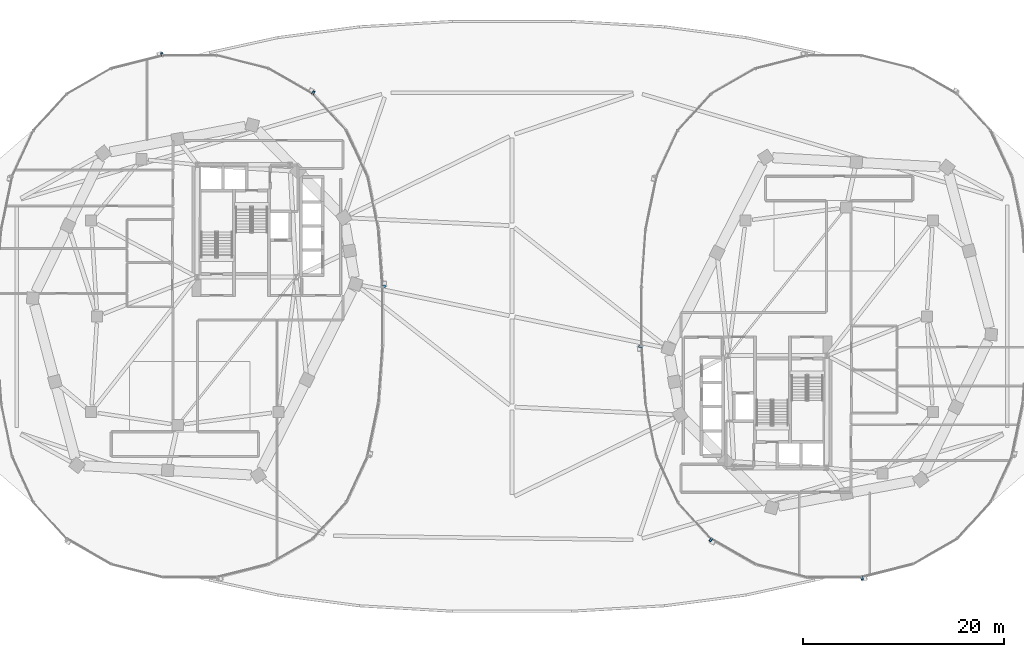
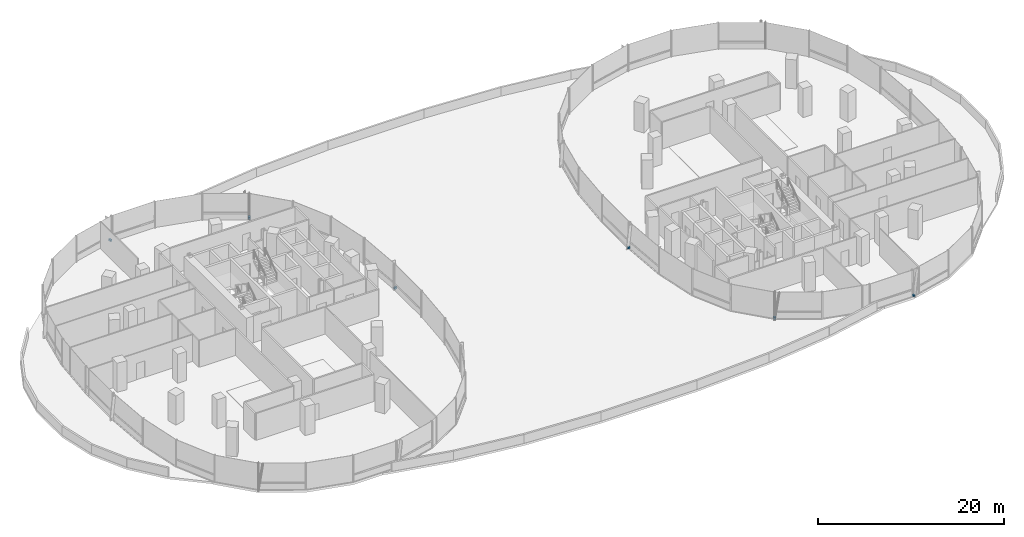
# One storey, part 23 of 28: 6 discrete accessories.
"""IFC4 building model written with IfcOpenShell, lengths in metres."""

from ifc_helpers import new_model, si_unit, direction, frame, origin, origin_2d, place, context, subcontext, project, spatial, rectangle, extrude, material, type_object, element, save


model = new_model("IFC4")

# Units and contexts
model_context = context("Model", 3, precision=1e-05, world=origin(), true_north=direction((0.0, 1.0)))
body_context = subcontext(model_context, "Body", "Model", "MODEL_VIEW")
ifc_project = project(units=[si_unit("LENGTHUNIT", "METRE"), si_unit("AREAUNIT", "SQUARE_METRE"), si_unit("VOLUMEUNIT", "CUBIC_METRE"), si_unit("PLANEANGLEUNIT", "RADIAN"), si_unit("MASSUNIT", "GRAM", prefix="KILO"), si_unit("THERMODYNAMICTEMPERATUREUNIT", "KELVIN"), si_unit("POWERUNIT", "WATT")], contexts=[model_context])

# Site, building, storey
site_placement = place(None, origin())
site = spatial("IfcSite", under=ifc_project, at=site_placement, CompositionType="ELEMENT")
building_placement = place(site_placement, origin())
building = spatial("IfcBuilding", under=site, at=building_placement, Name="Cundina Bronze Exchange", CompositionType="ELEMENT")
storey_placement = place(building_placement, frame((0.0, 0.0, 24.0)))
storey = spatial("IfcBuildingStorey", under=building, at=storey_placement, Name="L05", CompositionType="ELEMENT", Elevation=24.0)

# Discrete accessories
ifc_material = material(Name="Anodised Bronze Aluminium 6063-T6", Category="aluminium")
discrete_accessory_type = type_object("IfcDiscreteAccessoryType", Name="ACC-BRK-FIN", PredefinedType="BRACKET", material=ifc_material)
for number, where, z_axis, x_axis, name in (
    (1, (-12.735595703125, 2.986083984375, 0.10009765625), (0.0, 0.0, 1.0), (-0.070278787473, 0.997527389113, 0.0), "L05 Fin Support Bracket 1"),
    (2, (-19.740478515625, 22.21875, 0.10009765625), (0.0, 0.0, 1.0), (-0.867105478933, 0.498124571171, 0.0), "L05 Fin Support Bracket 5"),
    (3, (-34.76025390625, 26.03173828125, 0.10009765625), (0.0, 0.0, 1.0), (-0.969488149345, -0.245138182011, 0.0), "L05 Fin Support Bracket 1"),
    (4, (12.735595703125, -2.986083984375, 0.10009765625), (0.0, 0.0, 1.0), (0.070278787473, -0.997527389113, 0.0), "L05 Fin Support Bracket 1"),
    (5, (19.740478515625, -22.21875, 0.10009765625), (0.0, 0.0, 1.0), (0.867105478933, -0.498124571171, 0.0), "L05 Fin Support Bracket 5"),
    (6, (34.76025390625, -26.03173828125, 0.10009765625), (0.0, 0.0, 1.0), (0.969488149345, 0.245138182011, 0.0), "L05 Fin Support Bracket 1"),
):
    element("IfcDiscreteAccessory", number, at=place(storey_placement, frame(where, z_axis=z_axis, x_axis=x_axis)), inside=storey, type_object=discrete_accessory_type, Name=name, PredefinedType="BRACKET", context=body_context, shape_type="SweptSolid", body=[
        extrude(rectangle(XDim=0.219970703125, YDim=0.320068359375, at=origin_2d()), origin(), (0.0, 0.0, 1.0), 0.239990234375),
    ])

save(model, "model.ifc")
